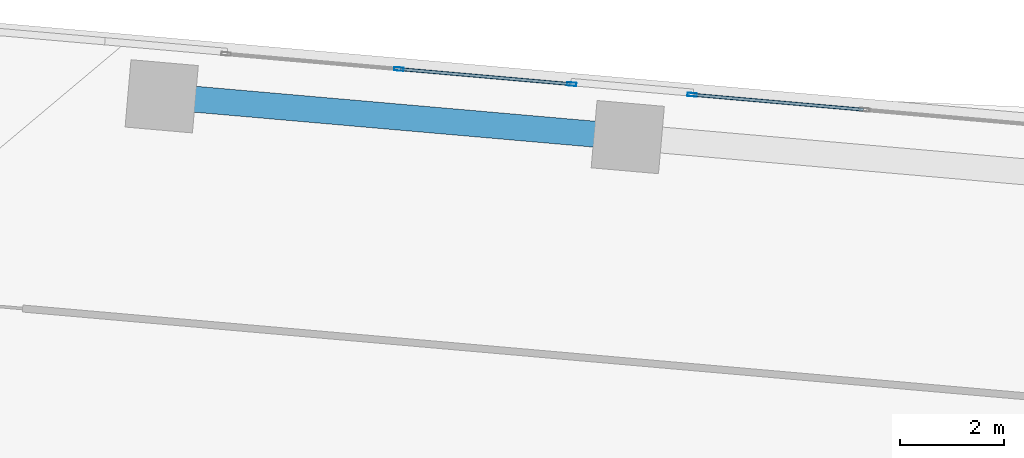
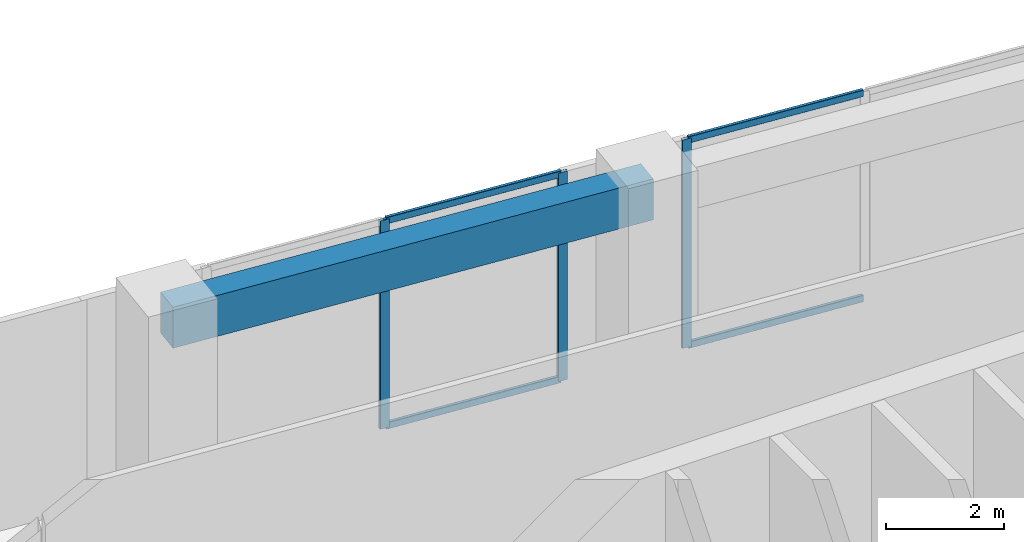
# One storey, part 15 of 24: 7 members, 1 beam, 2 elements without a shape of their own.
"""IFC4 building model written with IfcOpenShell, lengths in metres."""

from ifc_helpers import new_model, si_unit, direction, frame, origin, origin_2d, place, context, subcontext, project, spatial, rectangle, hollow_rectangle, extrude, source, transform, mapped, material, material_profile, profile_set, type_object, element, aggregate, save


model = new_model("IFC4")

# Units and contexts
model_context = context("Model", 3, precision=1e-05, world=origin(), true_north=direction((0.0, 1.0)))
body_context = subcontext(model_context, "Body", "Model", "MODEL_VIEW")
ifc_project = project(units=[si_unit("LENGTHUNIT", "METRE"), si_unit("AREAUNIT", "SQUARE_METRE"), si_unit("VOLUMEUNIT", "CUBIC_METRE"), si_unit("PLANEANGLEUNIT", "RADIAN"), si_unit("MASSUNIT", "GRAM", prefix="KILO")], contexts=[model_context])

# Site, building, storey
site_placement = place(None, origin())
site = spatial("IfcSite", under=ifc_project, at=site_placement, CompositionType="ELEMENT")
building_placement = place(site_placement, origin())
building = spatial("IfcBuilding", under=site, at=building_placement, Name="Torre Montelarca", CompositionType="ELEMENT")
storey_placement = place(building_placement, frame((0.0, 0.0, 47.199951171875)))
storey = spatial("IfcBuildingStorey", under=building, at=storey_placement, Name="L10", CompositionType="ELEMENT", Elevation=47.199951171875)

# Beam
ifc_material_1 = material(Name="Concrete C55/67", Category="concrete")
ifc_material_profile_1 = material_profile(ifc_material_1, rectangle(XDim=0.5, YDim=0.85009765625, at=origin_2d()), Name="RCB500X850", Category="concrete")
ifc_profile_set_1 = profile_set([ifc_material_profile_1], Name="Concrete C55/67")
beam_type = type_object("IfcBeamType", Name="BM-SP-RC850-EXT", PredefinedType="SPANDREL", material=ifc_profile_set_1)
shared_shape_1 = source(origin(), body_context, "Body", "SweptSolid", [
    extrude(rectangle(XDim=0.5, YDim=0.85009765625, at=origin_2d()), origin(), (0.0, 0.0, 1.0), 9.0),
])
beam_placement = place(storey_placement, frame((10.367919921875, 48.181884765625, 4.135009765625), z_axis=(0.996194541889, -0.087157528131, 0.0), x_axis=(0.087157528131, 0.996194541889, 0.0)))
element("IfcBeam", 1, at=beam_placement, inside=storey, type_object=beam_type, Name="L10 Grid Girder X 9.0-18.0 at Y=47.1", PredefinedType="SPANDREL", context=body_context, shape_type="MappedRepresentation", body=[
    mapped(shared_shape_1, transform((0.0, 0.0, 0.0), scale=1.0)),
])

# Curtain wall, member
ifc_material_2 = material(Name="Insulated low-E laminated glass", Category="glass")
curtain_wall_type = type_object("IfcCurtainWallType", Name="CW-SYS-Z1", PredefinedType="USERDEFINED", material=ifc_material_2)
curtain_wall_1_placement = place(storey_placement, origin())
curtain_wall_1 = element("IfcCurtainWall", 2, at=curtain_wall_1_placement, inside=storey, type_object=curtain_wall_type, Name="L10 Curtain Wall Run CW-T3-L10-E08-B3", ObjectType="UNITISED GLAZING", PredefinedType="USERDEFINED")
ifc_material_3 = material(Name="Anodised aluminium AA 6063-T6", Category="aluminium")
ifc_material_profile_2 = material_profile(ifc_material_3, hollow_rectangle(XDim=0.06494140625, YDim=0.179931640625, WallThickness=0.00390625, InnerFilletRadius=0.00390625, OuterFilletRadius=0.008056640625, at=origin_2d()), Name="ALU65X180X4", Category="aluminium")
ifc_profile_set_2 = profile_set([ifc_material_profile_2], Name="Anodised aluminium AA 6063-T6")
member_type_1 = type_object("IfcMemberType", Name="CWM-ALU180", PredefinedType="MULLION", material=ifc_profile_set_2)
shared_shape_2 = source(origin(), body_context, "Body", "SweptSolid", [
    extrude(hollow_rectangle(XDim=0.06494140625, YDim=0.179931640625, WallThickness=0.00390625, InnerFilletRadius=0.00390625, OuterFilletRadius=0.008056640625, at=origin_2d()), origin(), (0.0, 0.0, 1.0), 4.320068359375),
])
member_1_placement = place(storey_placement, frame((20.572021484375, 48.212646484375, 0.0), z_axis=(0.0, 0.0, 1.0), x_axis=(-0.087150753912, -0.996195134546, 0.0)))
member_1 = element("IfcMember", 3, at=member_1_placement, type_object=member_type_1, Name="CW mullion 3", PredefinedType="MULLION", context=body_context, shape_type="MappedRepresentation", body=[
    mapped(shared_shape_2, transform((0.0, 0.0, 0.0), scale=1.0)),
])

# Curtain wall, members
curtain_wall_2_placement = place(storey_placement, origin())
curtain_wall_2 = element("IfcCurtainWall", 4, at=curtain_wall_2_placement, inside=storey, type_object=curtain_wall_type, Name="L10 Curtain Wall Run CW-T3-L10-E08-B4", ObjectType="UNITISED GLAZING", PredefinedType="USERDEFINED")
member_2_placement = place(storey_placement, frame((18.255859375, 48.415283203125, 0.0), z_axis=(0.0, 0.0, 1.0), x_axis=(-0.087166766231, -0.9961937336, 0.0)))
member_2 = element("IfcMember", 5, at=member_2_placement, type_object=member_type_1, Name="CW mullion 1", PredefinedType="MULLION", context=body_context, shape_type="MappedRepresentation", body=[
    mapped(shared_shape_2, transform((0.0, 0.0, 0.0), scale=1.0)),
])
member_3_placement = place(storey_placement, frame((14.93115234375, 48.7060546875, 0.0), z_axis=(0.0, 0.0, 1.0), x_axis=(-0.087166766231, -0.9961937336, 0.0)))
member_3 = element("IfcMember", 6, at=member_3_placement, type_object=member_type_1, Name="CW mullion 2", PredefinedType="MULLION", context=body_context, shape_type="MappedRepresentation", body=[
    mapped(shared_shape_2, transform((0.0, 0.0, 0.0), scale=1.0)),
])

# Member
ifc_material_profile_3 = material_profile(ifc_material_3, hollow_rectangle(XDim=0.06494140625, YDim=0.139892578125, WallThickness=0.00390625, InnerFilletRadius=0.00390625, OuterFilletRadius=0.008056640625, at=origin_2d()), Name="ALU65X140X4", Category="aluminium")
ifc_profile_set_3 = profile_set([ifc_material_profile_3], Name="Anodised aluminium AA 6063-T6")
member_type_2 = type_object("IfcMemberType", Name="CWT-ALU140", PredefinedType="USERDEFINED", material=ifc_profile_set_3)
shared_shape_3 = source(origin(), body_context, "Body", "SweptSolid", [
    extrude(hollow_rectangle(XDim=0.06494140625, YDim=0.139892578125, WallThickness=0.00390625, InnerFilletRadius=0.00390625, OuterFilletRadius=0.008056640625, at=origin_2d()), origin(), (0.0, 0.0, 1.0), 3.272705078125),
])
member_4_placement = place(storey_placement, frame((23.864501953125, 47.924560546875, 0.032470703125), z_axis=(-0.996196793844, 0.087131784874, 0.0), x_axis=(-0.087131784874, -0.996196793844, 0.0)))
member_4 = element("IfcMember", 7, at=member_4_placement, type_object=member_type_2, Name="CW transom 2.1", ObjectType="TRANSOM", PredefinedType="USERDEFINED", context=body_context, shape_type="MappedRepresentation", body=[
    mapped(shared_shape_3, transform((0.0, 0.0, 0.0), scale=1.0)),
])

member_5_placement = place(storey_placement, frame((23.864501953125, 47.924560546875, 4.28759765625), z_axis=(-0.996196793844, 0.087131784874, 0.0), x_axis=(-0.087131784874, -0.996196793844, 0.0)))
member_5 = element("IfcMember", 8, at=member_5_placement, type_object=member_type_2, Name="CW transom 2.2", ObjectType="TRANSOM", PredefinedType="USERDEFINED", context=body_context, shape_type="MappedRepresentation", body=[
    mapped(shared_shape_3, transform((0.0, 0.0, 0.0), scale=1.0)),
])

aggregate(curtain_wall_1, [member_1, member_4, member_5])

shared_shape_4 = source(origin(), body_context, "Body", "SweptSolid", [
    extrude(hollow_rectangle(XDim=0.06494140625, YDim=0.139892578125, WallThickness=0.00390625, InnerFilletRadius=0.00390625, OuterFilletRadius=0.008056640625, at=origin_2d()), origin(), (0.0, 0.0, 1.0), 3.2724609375),
])
member_6_placement = place(storey_placement, frame((18.223388671875, 48.41796875, 0.032470703125), z_axis=(-0.996189748525, 0.087212298062, 0.0), x_axis=(-0.087212298062, -0.996189748525, 0.0)))
member_6 = element("IfcMember", 9, at=member_6_placement, type_object=member_type_2, Name="CW transom 1.1", ObjectType="TRANSOM", PredefinedType="USERDEFINED", context=body_context, shape_type="MappedRepresentation", body=[
    mapped(shared_shape_4, transform((0.0, 0.0, 0.0), scale=1.0)),
])

member_7_placement = place(storey_placement, frame((18.223388671875, 48.41796875, 4.28759765625), z_axis=(-0.996189748525, 0.087212298062, 0.0), x_axis=(-0.087212298062, -0.996189748525, 0.0)))
member_7 = element("IfcMember", 10, at=member_7_placement, type_object=member_type_2, Name="CW transom 1.2", ObjectType="TRANSOM", PredefinedType="USERDEFINED", context=body_context, shape_type="MappedRepresentation", body=[
    mapped(shared_shape_4, transform((0.0, 0.0, 0.0), scale=1.0)),
])

aggregate(curtain_wall_2, [member_2, member_3, member_6, member_7])

save(model, "model.ifc")
